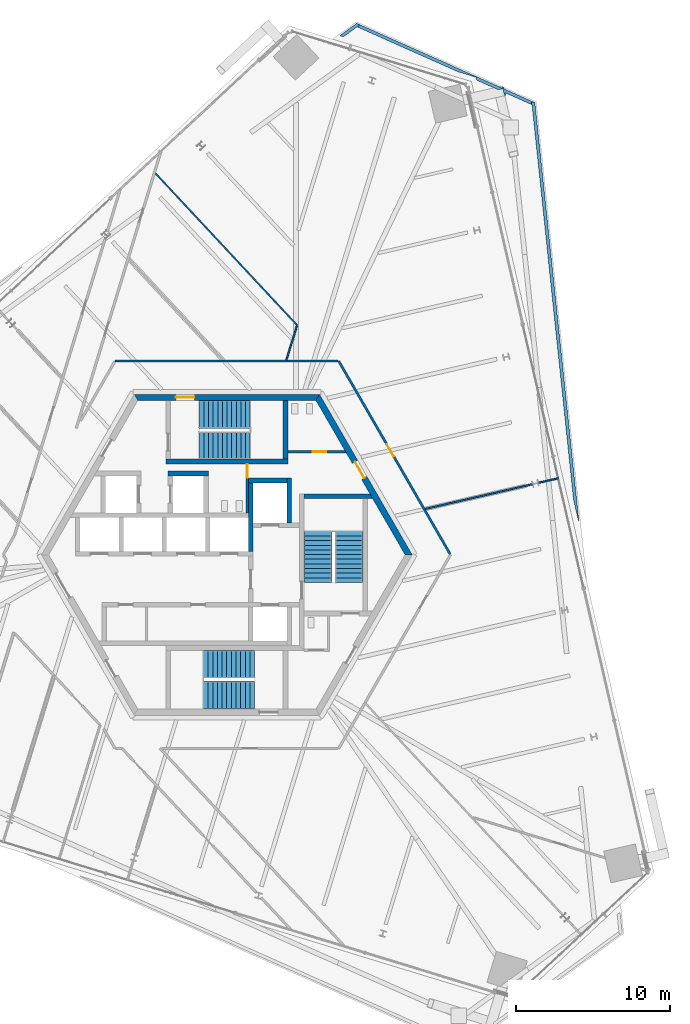
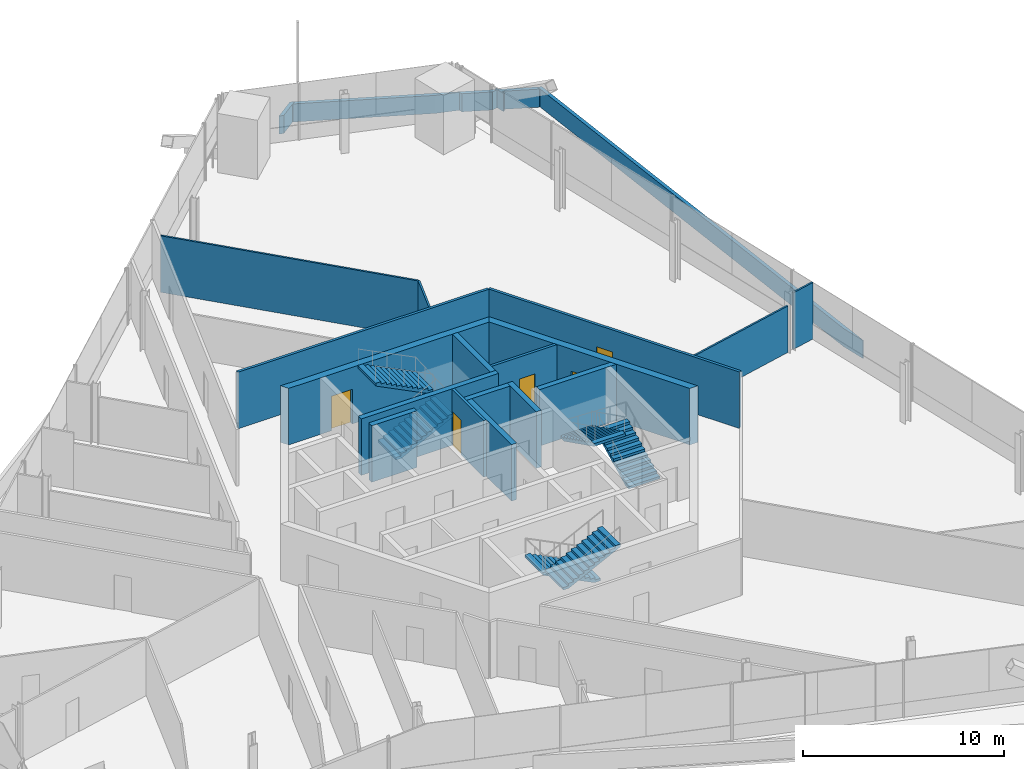
# One storey, part 21 of 25: 20 walls, 6 stair flights, 5 doors, 5 openings, 3 elements without a shape of their own.
"""IFC4 building model written with IfcOpenShell, lengths in metres."""

from ifc_helpers import new_model, si_unit, direction, frame, frame_2d, origin, place, context, subcontext, project, spatial, polyline, rectangle, outline, extrude, source, transform, mapped, material, layer, layer_set, type_object, element, fill, aggregate, save


model = new_model("IFC4")

# Units and contexts
model_context = context("Model", 3, precision=1e-05, world=origin(), true_north=direction((0.0, 1.0)))
body_context = subcontext(model_context, "Body", "Model", "MODEL_VIEW")
ifc_project = project(units=[si_unit("LENGTHUNIT", "METRE"), si_unit("AREAUNIT", "SQUARE_METRE"), si_unit("VOLUMEUNIT", "CUBIC_METRE"), si_unit("PLANEANGLEUNIT", "RADIAN"), si_unit("MASSUNIT", "GRAM", prefix="KILO")], contexts=[model_context])

# Site, building, storey
site_placement = place(None, origin())
site = spatial("IfcSite", under=ifc_project, at=site_placement, CompositionType="ELEMENT")
building_placement = place(site_placement, origin())
building = spatial("IfcBuilding", under=site, at=building_placement, Name="Triune Harvest Tower", CompositionType="ELEMENT")
storey_placement = place(building_placement, frame((0.0, 0.0, 98.300048828125)))
storey = spatial("IfcBuildingStorey", under=building, at=storey_placement, Name="L24", CompositionType="ELEMENT", Elevation=98.300048828125)

# Walls
ifc_material_1 = material(Name="Concrete 40 MPa", Category="concrete")
ifc_layer_1 = layer(ifc_material_1, 0.199951171875)
ifc_layer_set_1 = layer_set([ifc_layer_1], Name="Concrete 40 MPa")
wall_type_1 = type_object("IfcWallType", Name="PA-1 parapet 200", PredefinedType="PARAPET", material=ifc_layer_set_1)
wall_1_placement = place(storey_placement, origin())
element("IfcWall", 1, at=wall_1_placement, inside=storey, type_object=wall_type_1, Name="Parapet wedge L23 2.1", PredefinedType="PARAPET", context=body_context, shape_type="SweptSolid", body=[
    extrude(outline(polyline([(8.453125, 34.172607421875), (8.431884765625, 34.18212890625), (7.5498046875, 33.541015625), (7.310302734375, 33.6142578125), (8.40771484375, 34.411865234375), (8.51318359375, 34.36474609375), (8.583740234375, 34.267578125), (8.453125, 34.172607421875)])), origin(), (0.0, 0.0, 1.0), 1.099853515625),
])
wall_2_placement = place(storey_placement, origin())
element("IfcWall", 2, at=wall_2_placement, inside=storey, type_object=wall_type_1, Name="Parapet wedge L23 2.2", PredefinedType="PARAPET", context=body_context, shape_type="SweptSolid", body=[
    extrude(outline(polyline([(22.7939453125, 2.1884765625), (22.766357421875, 2.183837890625), (22.448486328125, 3.560791015625), (19.76025390625, 29.138671875), (19.7392578125, 29.148193359375), (19.722412109375, 29.308837890625), (19.841552734375, 29.3212890625), (19.947021484375, 29.2744140625), (22.7939453125, 2.1884765625)])), origin(), (0.0, 0.0, 1.0), 1.099853515625),
])
wall_3_placement = place(storey_placement, origin())
element("IfcWall", 3, at=wall_3_placement, inside=storey, type_object=wall_type_1, Name="Parapet wedge L23 2.3", PredefinedType="PARAPET", context=body_context, shape_type="SweptSolid", body=[
    extrude(outline(polyline([(17.868896484375, 30.19970703125), (17.840576171875, 30.32177734375), (17.9326171875, 30.28076171875), (17.9609375, 30.15869140625), (19.841552734375, 29.3212890625), (19.722412109375, 29.308837890625), (19.7392578125, 29.148193359375), (18.01708984375, 29.914794921875), (18.056884765625, 29.742431640625), (17.978515625, 29.724365234375), (17.874267578125, 30.176025390625), (17.581787109375, 30.108642578125), (16.1748046875, 30.73486328125), (16.1328125, 30.9169921875), (14.9619140625, 31.27490234375), (8.453125, 34.172607421875), (8.583740234375, 34.267578125), (8.51318359375, 34.36474609375), (17.868896484375, 30.19970703125)])), origin(), (0.0, 0.0, 1.0), 1.099853515625),
])
ifc_material_2 = material(Name="Gypsum board on steel studs", Category="steel")
ifc_layer_2 = layer(ifc_material_2, 0.10009765625)
ifc_layer_set_2 = layer_set([ifc_layer_2], Name="Gypsum board on steel studs")
wall_type_2 = type_object("IfcWallType", Name="Partition 100 mm", PredefinedType="PARTITIONING", material=ifc_layer_set_2)
wall_4_placement = place(storey_placement, frame((-4.624267578125, 24.69970703125, 0.0), z_axis=(0.0, 0.0, 1.0), x_axis=(0.681998577535, -0.731353498823, 0.0)))
element("IfcWall", 4, at=wall_4_placement, inside=storey, type_object=wall_type_2, Name="Partition L24 018", PredefinedType="PARTITIONING", context=body_context, shape_type="SweptSolid", body=[
    extrude(rectangle(XDim=13.44482421875, YDim=0.10009765625, at=frame_2d((6.722412109375, 0.0))), origin(), (0.0, 0.0, 1.0), 3.43994140625),
])
wall_5_placement = place(storey_placement, frame((12.847412109375, 2.9658203125, 0.0), z_axis=(0.0, 0.0, 1.0), x_axis=(0.974366985085, 0.224964393573, 0.0)))
element("IfcWall", 5, at=wall_5_placement, inside=storey, type_object=wall_type_2, Name="Partition L24 028", PredefinedType="PARTITIONING", context=body_context, shape_type="SweptSolid", body=[
    extrude(rectangle(XDim=7.139892578125, YDim=0.10009765625, at=frame_2d((3.56982421875, 0.0))), origin(), (0.0, 0.0, 1.0), 2.82763671875),
])
wall_6_placement = place(storey_placement, frame((3.85498046875, 12.609130859375, 0.0), z_axis=(0.0, 0.0, 1.0), x_axis=(0.292377534371, 0.956302973641, 0.0)))
element("IfcWall", 6, at=wall_6_placement, inside=storey, type_object=wall_type_2, Name="Partition L24 035", PredefinedType="PARTITIONING", context=body_context, shape_type="SweptSolid", body=[
    extrude(rectangle(XDim=2.340576171875, YDim=0.10009765625, at=frame_2d((1.17041015625, 0.0))), origin(), (0.0, 0.0, 1.0), 3.43994140625),
])

# Wall, opening, door
ifc_material_3 = material(Name="Concrete 70 MPa", Category="concrete")
ifc_layer_3 = layer(ifc_material_3, 0.39990234375)
ifc_layer_set_3 = layer_set([ifc_layer_3], Name="Concrete 70 MPa")
wall_type_3 = type_object("IfcWallType", Name="Core wall 400", PredefinedType="SHEAR", material=ifc_layer_set_3)
shared_shape_1 = source(origin(), body_context, "Body", "SweptSolid", [
    extrude(outline(polyline([(-0.115478515625, -0.199951171875), (11.884521484375, -0.199951171875), (11.653564453125, 0.199951171875), (0.115478515625, 0.199951171875), (-0.115478515625, -0.199951171875)])), origin(), (0.0, 0.0, 1.0), 3.43994140625),
])
wall_7_placement = place(storey_placement, frame((11.76904296875, 0.0, 0.0), z_axis=(0.0, 0.0, 1.0), x_axis=(-0.499996592174, 0.866027371285, 0.0)))
wall_7 = element("IfcWall", 7, at=wall_7_placement, inside=storey, type_object=wall_type_3, Name="Hexagon 0 wall", PredefinedType="SHEAR", context=body_context, shape_type="MappedRepresentation", body=[
    mapped(shared_shape_1, transform((0.0, 0.0, 0.0), scale=1.0)),
])
opening_1_placement = place(wall_7_placement, frame((5.75048828125, 0.0, 0.0)))
opening_1 = element("IfcOpeningElement", 8, at=opening_1_placement, cuts=wall_7, Name="Opening CD-WCP", PredefinedType="OPENING", context=body_context, shape_type="SweptSolid", body=[
    extrude(rectangle(XDim=1.199951171875, YDim=2.10009765625, at=frame_2d((0.60009765625, 1.050048828125))), frame((0.0, 0.2099609375, 0.0), z_axis=(0.0, -1.0, 0.0), x_axis=(1.0, 0.0, 0.0)), (0.0, 0.0, 1.0), 0.419921875),
])
ifc_material_4 = material(Name="Steel S235", Category="steel")
door_type_1 = type_object("IfcDoorType", Name="Lobby door 1200 FD120", OperationType="SINGLE_SWING_LEFT", PredefinedType="DOOR", material=ifc_material_4)
door_1_placement = place(opening_1_placement, frame((1.199951171875, 0.0, 0.0), z_axis=(0.0, 0.0, 1.0), x_axis=(-1.0, 0.0, 0.0)))
door_1 = element("IfcDoor", 9, at=door_1_placement, inside=storey, type_object=door_type_1, Name="Door CD-WCP", OperationType="SINGLE_SWING_RIGHT", OverallHeight=2.10009765625, OverallWidth=1.199951171875, PredefinedType="DOOR", context=body_context, shape_type="SweptSolid", body=[
    extrude(rectangle(XDim=1.199951171875, YDim=2.10009765625, at=frame_2d((0.60009765625, 1.050048828125))), frame((0.0, 0.02490234375, 0.0), z_axis=(0.0, -1.0, 0.0), x_axis=(1.0, 0.0, 0.0)), (0.0, 0.0, 1.0), 0.050048828125),
])
fill(opening_1, door_1)

wall_8_placement = place(storey_placement, frame((5.884521484375, 10.1923828125, 0.0), z_axis=(0.0, 0.0, 1.0), x_axis=(-1.0, 0.0, 0.0)))
wall_8 = element("IfcWall", 10, at=wall_8_placement, inside=storey, type_object=wall_type_3, Name="Hexagon 1 wall", PredefinedType="SHEAR", context=body_context, shape_type="MappedRepresentation", body=[
    mapped(shared_shape_1, transform((0.0, 0.0, 0.0), scale=1.0)),
])
opening_2_placement = place(wall_8_placement, frame((7.984619140625, 0.0, 0.0)))
opening_2 = element("IfcOpeningElement", 11, at=opening_2_placement, cuts=wall_8, Name="Opening CD-S1P", PredefinedType="OPENING", context=body_context, shape_type="SweptSolid", body=[
    extrude(rectangle(XDim=1.199951171875, YDim=2.10009765625, at=frame_2d((0.60009765625, 1.050048828125))), frame((0.0, 0.2099609375, 0.0), z_axis=(0.0, -1.0, 0.0), x_axis=(1.0, 0.0, 0.0)), (0.0, 0.0, 1.0), 0.419921875),
])
ifc_material_5 = material(Name="Steel S235", Category="steel")
door_type_2 = type_object("IfcDoorType", Name="Stair door 1200 FD120", OperationType="SINGLE_SWING_LEFT", PredefinedType="DOOR", material=ifc_material_5)
door_2_placement = place(opening_2_placement, frame((1.199951171875, 0.0, 0.0), z_axis=(0.0, 0.0, 1.0), x_axis=(-1.0, 0.0, 0.0)))
door_2 = element("IfcDoor", 12, at=door_2_placement, inside=storey, type_object=door_type_2, Name="Door CD-S1P", OperationType="SINGLE_SWING_RIGHT", OverallHeight=2.10009765625, OverallWidth=1.199951171875, PredefinedType="DOOR", context=body_context, shape_type="SweptSolid", body=[
    extrude(rectangle(XDim=1.199951171875, YDim=2.10009765625, at=frame_2d((0.60009765625, 1.050048828125))), frame((0.0, 0.02490234375, 0.0), z_axis=(0.0, -1.0, 0.0), x_axis=(1.0, 0.0, 0.0)), (0.0, 0.0, 1.0), 0.050048828125),
])
fill(opening_2, door_2)

# Walls
ifc_material_6 = material(Name="Concrete 70 MPa", Category="concrete")
ifc_layer_4 = layer(ifc_material_6, 0.300048828125)
ifc_layer_set_4 = layer_set([ifc_layer_4], Name="Concrete 70 MPa")
wall_type_4 = type_object("IfcWallType", Name="Core wall 300", PredefinedType="SHEAR", material=ifc_layer_set_4)
shared_shape_2 = source(origin(), body_context, "Body", "SweptSolid", [
    extrude(rectangle(XDim=2.5, YDim=0.300048828125, at=frame_2d((1.25, 0.0))), origin(), (0.0, 0.0, 1.0), 3.43994140625),
])
wall_9_placement = place(storey_placement, frame((1.39990234375, 4.81005859375, 0.0), z_axis=(0.0, 0.0, 1.0), x_axis=(1.0, 0.0, 0.0)))
element("IfcWall", 13, at=wall_9_placement, inside=storey, type_object=wall_type_4, Name="Ff1 back wall", PredefinedType="SHEAR", context=body_context, shape_type="MappedRepresentation", body=[
    mapped(shared_shape_2, transform((0.0, 0.0, 0.0), scale=1.0)),
])
shared_shape_3 = source(origin(), body_context, "Body", "SweptSolid", [
    extrude(rectangle(XDim=4.449951171875, YDim=0.300048828125, at=frame_2d((2.22509765625, 0.0))), origin(), (0.0, 0.0, 1.0), 3.43994140625),
])
wall_10_placement = place(storey_placement, frame((1.550048828125, 0.2099609375, 0.0), z_axis=(0.0, 0.0, 1.0), x_axis=(0.0, 1.0, 0.0)))
element("IfcWall", 14, at=wall_10_placement, inside=storey, type_object=wall_type_4, Name="Ff1 west wall", PredefinedType="SHEAR", context=body_context, shape_type="MappedRepresentation", body=[
    mapped(shared_shape_3, transform((0.0, 0.0, 0.0), scale=1.0)),
])
shared_shape_4 = source(origin(), body_context, "Body", "SweptSolid", [
    extrude(rectangle(XDim=2.89990234375, YDim=0.300048828125, at=frame_2d((1.449951171875, 0.0))), origin(), (0.0, 0.0, 1.0), 3.43994140625),
])
wall_11_placement = place(storey_placement, frame((4.050048828125, 2.06005859375, 0.0), z_axis=(0.0, 0.0, 1.0), x_axis=(0.0, 1.0, 0.0)))
element("IfcWall", 15, at=wall_11_placement, inside=storey, type_object=wall_type_4, Name="Ff1 east wall", PredefinedType="SHEAR", context=body_context, shape_type="MappedRepresentation", body=[
    mapped(shared_shape_4, transform((0.0, 0.0, 0.0), scale=1.0)),
])
shared_shape_5 = source(origin(), body_context, "Body", "SweptSolid", [
    extrude(outline(polyline([(0.0, -0.14990234375), (0.0, 0.14990234375), (4.260009765625, 0.14990234375), (4.43310546875, -0.14990234375), (0.0, -0.14990234375)])), origin(), (0.0, 0.0, 1.0), 3.43994140625),
])
wall_12_placement = place(storey_placement, frame((5.0, 3.800048828125, 0.0), z_axis=(0.0, 0.0, 1.0), x_axis=(1.0, 0.0, 0.0)))
element("IfcWall", 16, at=wall_12_placement, inside=storey, type_object=wall_type_4, Name="Stair e north wall", PredefinedType="SHEAR", context=body_context, shape_type="MappedRepresentation", body=[
    mapped(shared_shape_5, transform((0.0, 0.0, 0.0), scale=1.0)),
])
shared_shape_6 = source(origin(), body_context, "Body", "SweptSolid", [
    extrude(rectangle(XDim=7.89990234375, YDim=0.300048828125, at=frame_2d((3.949951171875, 0.0))), origin(), (0.0, 0.0, 1.0), 3.43994140625),
])
wall_13_placement = place(storey_placement, frame((-3.949951171875, 6.0400390625, 0.0), z_axis=(0.0, 0.0, 1.0), x_axis=(1.0, 0.0, 0.0)))
element("IfcWall", 17, at=wall_13_placement, inside=storey, type_object=wall_type_4, Name="Stair n south wall", PredefinedType="SHEAR", context=body_context, shape_type="MappedRepresentation", body=[
    mapped(shared_shape_6, transform((0.0, 0.0, 0.0), scale=1.0)),
])
shared_shape_7 = source(origin(), body_context, "Body", "SweptSolid", [
    extrude(outline(polyline([(0.0, -0.14990234375), (0.0, 0.14990234375), (3.80419921875, 0.14990234375), (3.80419921875, -0.14990234375), (0.0, -0.14990234375)])), origin(), (0.0, 0.0, 1.0), 3.43994140625),
])
wall_14_placement = place(storey_placement, frame((3.800048828125, 6.18994140625, 0.0), z_axis=(0.0, 0.0, 1.0), x_axis=(0.0, 1.0, 0.0)))
element("IfcWall", 18, at=wall_14_placement, inside=storey, type_object=wall_type_4, Name="Stair n east wall", PredefinedType="SHEAR", context=body_context, shape_type="MappedRepresentation", body=[
    mapped(shared_shape_7, transform((0.0, 0.0, 0.0), scale=1.0)),
])
shared_shape_8 = source(origin(), body_context, "Body", "SweptSolid", [
    extrude(rectangle(XDim=2.60009765625, YDim=0.300048828125, at=frame_2d((1.300048828125, 0.0))), origin(), (0.0, 0.0, 1.0), 3.43994140625),
])
wall_15_placement = place(storey_placement, frame((-3.800048828125, 5.260009765625, 0.0), z_axis=(0.0, 0.0, 1.0), x_axis=(1.0, 0.0, 0.0)))
element("IfcWall", 19, at=wall_15_placement, inside=storey, type_object=wall_type_4, Name="Sv2 north wall", PredefinedType="SHEAR", context=body_context, shape_type="MappedRepresentation", body=[
    mapped(shared_shape_8, transform((0.0, 0.0, 0.0), scale=1.0)),
])

# Wall, opening, door
ifc_material_7 = material(Name="Concrete masonry unit", Category="masonry")
ifc_layer_5 = layer(ifc_material_7, 0.14990234375)
ifc_layer_set_5 = layer_set([ifc_layer_5], Name="Concrete masonry unit")
wall_type_5 = type_object("IfcWallType", Name="Block partition 150 unrated", PredefinedType="PARTITIONING", material=ifc_layer_set_5)
shared_shape_9 = source(origin(), body_context, "Body", "SweptSolid", [
    extrude(rectangle(XDim=3.179931640625, YDim=0.14990234375, at=frame_2d((1.58984375, 0.0))), origin(), (0.0, 0.0, 1.0), 3.43994140625),
])
wall_16_placement = place(storey_placement, frame((1.324951171875, 2.7099609375, 0.0), z_axis=(0.0, 0.0, 1.0), x_axis=(0.0, 1.0, 0.0)))
wall_16 = element("IfcWall", 20, at=wall_16_placement, inside=storey, type_object=wall_type_5, Name="Wc men east wall", PredefinedType="PARTITIONING", context=body_context, shape_type="MappedRepresentation", body=[
    mapped(shared_shape_9, transform((0.0, 0.0, 0.0), scale=1.0)),
])
opening_3_placement = place(wall_16_placement, frame((2.264892578125, 0.0, 0.0)))
opening_3 = element("IfcOpeningElement", 21, at=opening_3_placement, cuts=wall_16, Name="Opening CD-WM", PredefinedType="OPENING", context=body_context, shape_type="SweptSolid", body=[
    extrude(rectangle(XDim=0.89990234375, YDim=2.10009765625, at=frame_2d((0.449951171875, 1.050048828125))), frame((0.0, 0.0849609375, 0.0), z_axis=(0.0, -1.0, 0.0), x_axis=(1.0, 0.0, 0.0)), (0.0, 0.0, 1.0), 0.169921875),
])
ifc_material_8 = material(Name="Timber C24", Category="wood")
door_type_3 = type_object("IfcDoorType", Name="WC door 900", OperationType="SINGLE_SWING_LEFT", PredefinedType="DOOR", material=ifc_material_8)
door_3_placement = place(opening_3_placement, origin())
door_3 = element("IfcDoor", 22, at=door_3_placement, inside=storey, type_object=door_type_3, Name="Door CD-WM", OperationType="SINGLE_SWING_LEFT", OverallHeight=2.10009765625, OverallWidth=0.89990234375, PredefinedType="DOOR", context=body_context, shape_type="SweptSolid", body=[
    extrude(rectangle(XDim=0.89990234375, YDim=2.10009765625, at=frame_2d((0.449951171875, 1.050048828125))), frame((0.0, 0.02490234375, 0.0), z_axis=(0.0, -1.0, 0.0), x_axis=(1.0, 0.0, 0.0)), (0.0, 0.0, 1.0), 0.050048828125),
])
fill(opening_3, door_3)

shared_shape_10 = source(origin(), body_context, "Body", "SweptSolid", [
    extrude(outline(polyline([(0.0, -0.074951171875), (0.0, 0.074951171875), (3.693359375, 0.074951171875), (3.77978515625, -0.074951171875), (0.0, -0.074951171875)])), origin(), (0.0, 0.0, 1.0), 3.43994140625),
])
wall_17_placement = place(storey_placement, frame((3.949951171875, 6.675048828125, 0.0), z_axis=(0.0, 0.0, 1.0), x_axis=(1.0, 0.0, 0.0)))
wall_17 = element("IfcWall", 23, at=wall_17_placement, inside=storey, type_object=wall_type_5, Name="Wc women south wall", PredefinedType="PARTITIONING", context=body_context, shape_type="MappedRepresentation", body=[
    mapped(shared_shape_10, transform((0.0, 0.0, 0.0), scale=1.0)),
])
opening_4_placement = place(wall_17_placement, frame((1.60009765625, 0.0, 0.0)))
opening_4 = element("IfcOpeningElement", 24, at=opening_4_placement, cuts=wall_17, Name="Opening CD-WW", PredefinedType="OPENING", context=body_context, shape_type="SweptSolid", body=[
    extrude(rectangle(XDim=0.89990234375, YDim=2.10009765625, at=frame_2d((0.449951171875, 1.050048828125))), frame((0.0, 0.0849609375, 0.0), z_axis=(0.0, -1.0, 0.0), x_axis=(1.0, 0.0, 0.0)), (0.0, 0.0, 1.0), 0.169921875),
])
door_4_placement = place(opening_4_placement, origin())
door_4 = element("IfcDoor", 25, at=door_4_placement, inside=storey, type_object=door_type_3, Name="Door CD-WW", OperationType="SINGLE_SWING_LEFT", OverallHeight=2.10009765625, OverallWidth=0.89990234375, PredefinedType="DOOR", context=body_context, shape_type="SweptSolid", body=[
    extrude(rectangle(XDim=0.89990234375, YDim=2.10009765625, at=frame_2d((0.449951171875, 1.050048828125))), frame((0.0, 0.02490234375, 0.0), z_axis=(0.0, -1.0, 0.0), x_axis=(1.0, 0.0, 0.0)), (0.0, 0.0, 1.0), 0.050048828125),
])
fill(opening_4, door_4)

ifc_material_9 = material(Name="Gypsum board on steel studs", Category="steel")
ifc_layer_6 = layer(ifc_material_9, 0.14990234375)
ifc_layer_set_6 = layer_set([ifc_layer_6], Name="Gypsum board on steel studs")
wall_type_6 = type_object("IfcWallType", Name="Fire Partition 150 mm", PredefinedType="PARTITIONING", material=ifc_layer_set_6)
shared_shape_11 = source(origin(), body_context, "Body", "SweptSolid", [
    extrude(rectangle(XDim=14.4326171875, YDim=0.14990234375, at=frame_2d((7.21630859375, 0.0))), origin(), (0.0, 0.0, 1.0), 3.43994140625),
])
wall_18_placement = place(storey_placement, frame((7.2412109375, 12.542236328125, 0.0), z_axis=(0.0, 0.0, 1.0), x_axis=(0.499999690675, -0.866025582373, 0.0)))
wall_18 = element("IfcWall", 26, at=wall_18_placement, inside=storey, type_object=wall_type_6, Name="Partition L24 003", PredefinedType="PARTITIONING", context=body_context, shape_type="MappedRepresentation", body=[
    mapped(shared_shape_11, transform((0.0, 0.0, 0.0), scale=1.0)),
])
opening_5_placement = place(wall_18_placement, frame((6.225830078125, 0.0, 0.0)))
opening_5 = element("IfcOpeningElement", 27, at=opening_5_placement, cuts=wall_18, Name="Opening L24-002", PredefinedType="OPENING", context=body_context, shape_type="SweptSolid", body=[
    extrude(rectangle(XDim=0.89990234375, YDim=2.10009765625, at=frame_2d((0.449951171875, 1.050048828125))), frame((0.0, 0.0849609375, 0.0), z_axis=(0.0, -1.0, 0.0), x_axis=(1.0, 0.0, 0.0)), (0.0, 0.0, 1.0), 0.169921875),
])
ifc_material_10 = material(Name="Timber and steel door set", Category="steel")
door_type_4 = type_object("IfcDoorType", Name="Single leaf door FD30 left hand 900 x 2100", OperationType="SINGLE_SWING_LEFT", PredefinedType="DOOR", material=ifc_material_10)
door_5_placement = place(opening_5_placement, origin())
door_5 = element("IfcDoor", 28, at=door_5_placement, inside=storey, type_object=door_type_4, Name="Door L24-002 Open Office 24.02", OperationType="SINGLE_SWING_LEFT", OverallHeight=2.10009765625, OverallWidth=0.89990234375, PredefinedType="DOOR", context=body_context, shape_type="SweptSolid", body=[
    extrude(rectangle(XDim=0.89990234375, YDim=2.10009765625, at=frame_2d((0.449951171875, 1.050048828125))), frame((0.0, 0.02490234375, 0.0), z_axis=(0.0, -1.0, 0.0), x_axis=(1.0, 0.0, 0.0)), (0.0, 0.0, 1.0), 0.050048828125),
])
fill(opening_5, door_5)

# Walls
wall_19_placement = place(storey_placement, frame((-7.2412109375, 12.542236328125, 0.0), z_axis=(0.0, 0.0, 1.0), x_axis=(1.0, 0.0, 0.0)))
element("IfcWall", 29, at=wall_19_placement, inside=storey, type_object=wall_type_6, Name="Partition L24 025", PredefinedType="PARTITIONING", context=body_context, shape_type="MappedRepresentation", body=[
    mapped(shared_shape_11, transform((0.0, 0.0, 0.0), scale=1.0)),
])
shared_shape_12 = source(origin(), body_context, "Body", "SweptSolid", [
    extrude(rectangle(XDim=1.338134765625, YDim=0.10009765625, at=frame_2d((0.6689453125, 0.0))), origin(), (0.0, 0.0, 1.0), 3.43994140625),
])
wall_20_placement = place(storey_placement, frame((20.156005859375, 4.6533203125, 0.0), z_axis=(0.0, 0.0, 1.0), x_axis=(0.974363511026, 0.224979439906, 0.0)))
element("IfcWall", 30, at=wall_20_placement, inside=storey, type_object=wall_type_2, Name="Partition L24 029", PredefinedType="PARTITIONING", context=body_context, shape_type="MappedRepresentation", body=[
    mapped(shared_shape_12, transform((0.0, 0.0, 0.0), scale=1.0)),
])

# Stair, stair flights
ifc_material_11 = material(Name="Concrete 40 MPa", Category="concrete")
stair_type = type_object("IfcStairType", Name="Exit stair 1800 half turn", PredefinedType="HALF_TURN_STAIR", material=ifc_material_11)
stair_1_placement = place(storey_placement, origin())
stair_1 = element("IfcStair", 31, at=stair_1_placement, inside=storey, type_object=stair_type, Name="Exit stair north", PredefinedType="HALF_TURN_STAIR")
ifc_material_12 = material(Name="Concrete 40 MPa", Category="concrete")
stair_flight_type = type_object("IfcStairFlightType", Name="Stair flight 1800", PredefinedType="STRAIGHT", material=ifc_material_12)
shared_shape_13 = source(origin(), body_context, "Body", "SweptSolid", [
    extrude(outline(polyline([(0.0, 0.0), (0.0, 0.14990234375), (0.300048828125, 0.14990234375), (0.300048828125, 0.300048828125), (0.60009765625, 0.300048828125), (0.60009765625, 0.449951171875), (0.89990234375, 0.449951171875), (0.89990234375, 0.60009765625), (1.199951171875, 0.60009765625), (1.199951171875, 0.75), (1.5, 0.75), (1.5, 0.89990234375), (1.800048828125, 0.89990234375), (1.800048828125, 1.050048828125), (2.10009765625, 1.050048828125), (2.10009765625, 1.199951171875), (2.39990234375, 1.199951171875), (2.39990234375, 1.35009765625), (2.699951171875, 1.35009765625), (2.699951171875, 1.5), (3.0, 1.5), (3.0, 1.64990234375), (3.300048828125, 1.64990234375), (3.300048828125, 1.800048828125), (3.300048828125, 1.482421875), (0.335205078125, 0.0), (0.0, 0.0)])), frame((0.0, 0.89990234375, 0.0), z_axis=(0.0, -1.0, 0.0), x_axis=(1.0, 0.0, 0.0)), (0.0, 0.0, 1.0), 1.800048828125),
])
stair_flight_1_placement = place(storey_placement, frame((-1.7900390625, 7.090087890625, 0.0), z_axis=(0.0, 0.0, 1.0), x_axis=(1.0, 0.0, 0.0)))
stair_flight_1 = element("IfcStairFlight", 32, at=stair_flight_1_placement, type_object=stair_flight_type, Name="ST-1 flight 1", NumberOfRisers=12, NumberOfTreads=11, PredefinedType="STRAIGHT", RiserHeight=0.15, TreadLength=0.3, context=body_context, shape_type="MappedRepresentation", body=[
    mapped(shared_shape_13, transform((0.0, 0.0, 0.0), scale=1.0)),
])
stair_flight_2_placement = place(storey_placement, frame((1.510009765625, 9.090087890625, 1.800048828125), z_axis=(0.0, 0.0, 1.0), x_axis=(-1.0, 0.0, 0.0)))
stair_flight_2 = element("IfcStairFlight", 33, at=stair_flight_2_placement, type_object=stair_flight_type, Name="ST-1 flight 2", NumberOfRisers=12, NumberOfTreads=11, PredefinedType="STRAIGHT", RiserHeight=0.15, TreadLength=0.3, context=body_context, shape_type="MappedRepresentation", body=[
    mapped(shared_shape_13, transform((0.0, 0.0, 0.0), scale=1.0)),
])
aggregate(stair_1, [stair_flight_1, stair_flight_2])

stair_2_placement = place(storey_placement, origin())
stair_2 = element("IfcStair", 34, at=stair_2_placement, inside=storey, type_object=stair_type, Name="Exit stair south", PredefinedType="HALF_TURN_STAIR")
stair_flight_3_placement = place(storey_placement, frame((1.7900390625, -7.090087890625, 0.0), z_axis=(0.0, 0.0, 1.0), x_axis=(-1.0, 0.0, 0.0)))
stair_flight_3 = element("IfcStairFlight", 35, at=stair_flight_3_placement, type_object=stair_flight_type, Name="ST-2 flight 1", NumberOfRisers=12, NumberOfTreads=11, PredefinedType="STRAIGHT", RiserHeight=0.15, TreadLength=0.3, context=body_context, shape_type="MappedRepresentation", body=[
    mapped(shared_shape_13, transform((0.0, 0.0, 0.0), scale=1.0)),
])
stair_flight_4_placement = place(storey_placement, frame((-1.510009765625, -9.090087890625, 1.800048828125), z_axis=(0.0, 0.0, 1.0), x_axis=(1.0, 0.0, 0.0)))
stair_flight_4 = element("IfcStairFlight", 36, at=stair_flight_4_placement, type_object=stair_flight_type, Name="ST-2 flight 2", NumberOfRisers=12, NumberOfTreads=11, PredefinedType="STRAIGHT", RiserHeight=0.15, TreadLength=0.3, context=body_context, shape_type="MappedRepresentation", body=[
    mapped(shared_shape_13, transform((0.0, 0.0, 0.0), scale=1.0)),
])
aggregate(stair_2, [stair_flight_3, stair_flight_4])

stair_3_placement = place(storey_placement, origin())
stair_3 = element("IfcStair", 37, at=stair_3_placement, inside=storey, type_object=stair_type, Name="Exit stair east", PredefinedType="HALF_TURN_STAIR")
stair_flight_5_placement = place(storey_placement, frame((7.89990234375, -1.7900390625, 0.0), z_axis=(0.0, 0.0, 1.0), x_axis=(0.0, 1.0, 0.0)))
stair_flight_5 = element("IfcStairFlight", 38, at=stair_flight_5_placement, type_object=stair_flight_type, Name="ST-3 flight 1", NumberOfRisers=12, NumberOfTreads=11, PredefinedType="STRAIGHT", RiserHeight=0.15, TreadLength=0.3, context=body_context, shape_type="MappedRepresentation", body=[
    mapped(shared_shape_13, transform((0.0, 0.0, 0.0), scale=1.0)),
])
stair_flight_6_placement = place(storey_placement, frame((5.89990234375, 1.510009765625, 1.800048828125), z_axis=(0.0, 0.0, 1.0), x_axis=(0.0, -1.0, 0.0)))
stair_flight_6 = element("IfcStairFlight", 39, at=stair_flight_6_placement, type_object=stair_flight_type, Name="ST-3 flight 2", NumberOfRisers=12, NumberOfTreads=11, PredefinedType="STRAIGHT", RiserHeight=0.15, TreadLength=0.3, context=body_context, shape_type="MappedRepresentation", body=[
    mapped(shared_shape_13, transform((0.0, 0.0, 0.0), scale=1.0)),
])
aggregate(stair_3, [stair_flight_5, stair_flight_6])

save(model, "model.ifc")
